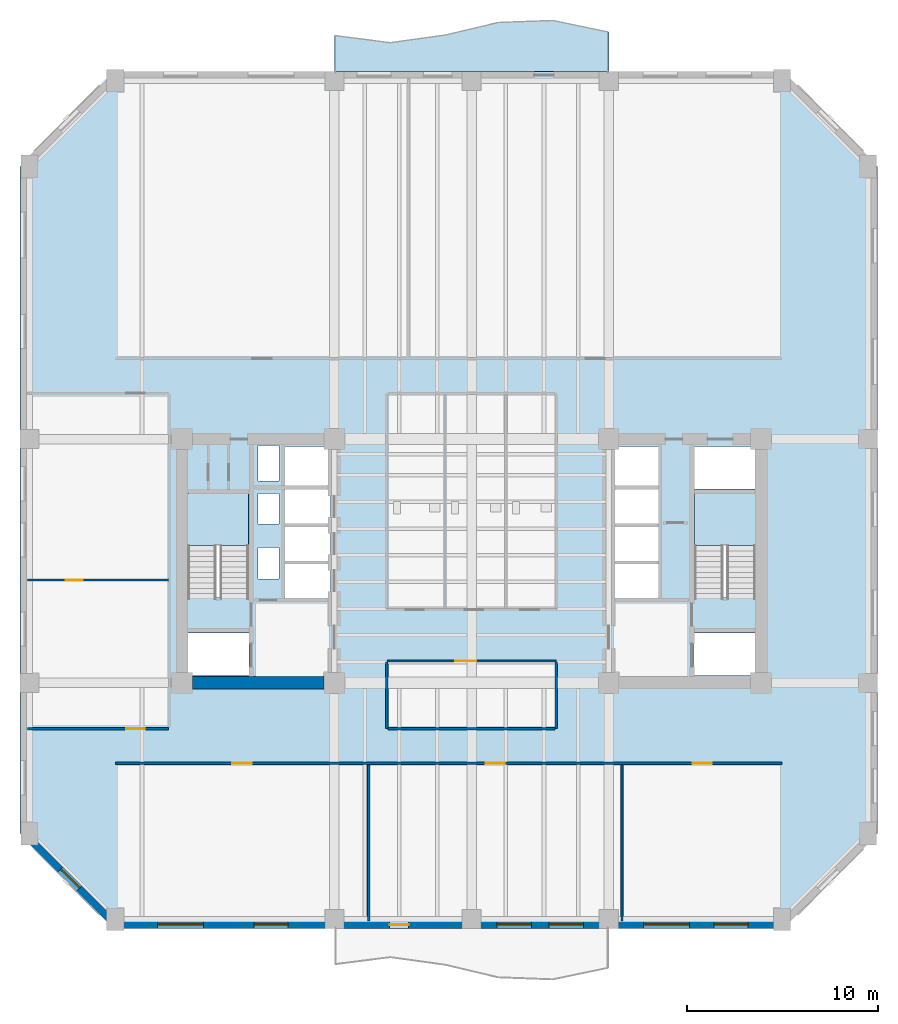
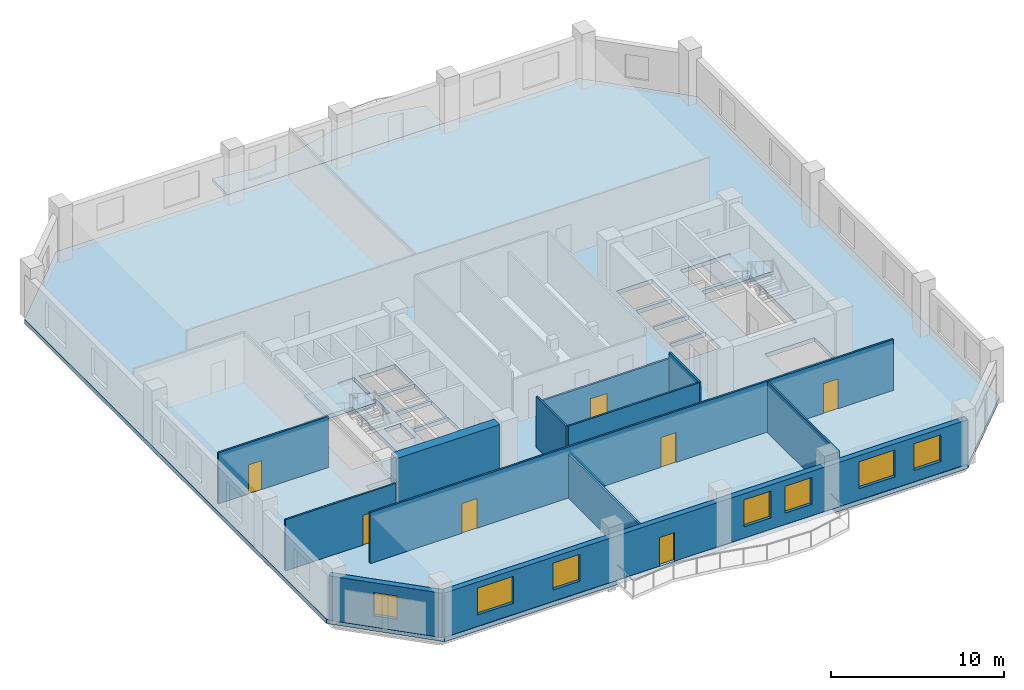
# One storey, part 2 of 10: 12 walls, 7 doors, 7 windows, 4 slabs, 14 openings, 2 elements without a shape of their own.
"""IFC4 building model written with IfcOpenShell, lengths in metres."""

from ifc_helpers import new_model, si_unit, direction, frame, frame_2d, origin, place, context, subcontext, project, spatial, polyline, rectangle, outline, extrude, material, layer, layer_set, type_object, element, fill, aggregate, save


model = new_model("IFC4")

# Units and contexts
model_context = context("Model", 3, precision=1e-05, world=origin(), true_north=direction((0.0, 1.0)))
body_context = subcontext(model_context, "Body", "Model", "MODEL_VIEW")
ifc_project = project(units=[si_unit("LENGTHUNIT", "METRE"), si_unit("AREAUNIT", "SQUARE_METRE"), si_unit("VOLUMEUNIT", "CUBIC_METRE"), si_unit("PLANEANGLEUNIT", "RADIAN"), si_unit("MASSUNIT", "GRAM", prefix="KILO")], contexts=[model_context])

# Site, building, storey
site_placement = place(None, origin())
site = spatial("IfcSite", under=ifc_project, at=site_placement, CompositionType="ELEMENT")
building_placement = place(site_placement, origin())
building = spatial("IfcBuilding", under=site, at=building_placement, Name="Kranthara Brick Stack", CompositionType="ELEMENT")
storey_placement = place(building_placement, frame((0.0, 0.0, 102.300048828125)))
storey = spatial("IfcBuildingStorey", under=building, at=storey_placement, Name="L25", CompositionType="ELEMENT", Elevation=102.300048828125)

# Slab
ifc_material_1 = material(Name="Concrete C45/55", Category="concrete")
ifc_layer_1 = layer(ifc_material_1, 0.219970703125)
ifc_layer_set_1 = layer_set([ifc_layer_1], Name="Concrete C45/55")
slab_type_1 = type_object("IfcSlabType", Name="SLB-BALC-220", PredefinedType="FLOOR", material=ifc_layer_set_1)
slab_1_placement = place(storey_placement, frame((0.0, 0.0, -0.219970703125)))
element("IfcSlab", 1, at=slab_1_placement, inside=storey, type_object=slab_type_1, Name="L25 North Rippling Balcony Slab", PredefinedType="FLOOR", context=body_context, shape_type="SweptSolid", body=[
    extrude(outline(polyline([(35.199951171875, 52.89990234375), (20.800048828125, 52.89990234375), (20.800048828125, 54.770751953125), (23.679931640625, 54.400390625), (26.56005859375, 54.815673828125), (29.43994140625, 55.494140625), (32.320068359375, 55.582763671875), (35.199951171875, 54.969970703125), (35.199951171875, 52.89990234375)])), origin(), (0.0, 0.0, 1.0), 0.219970703125),
])

# Stair, slab
ifc_material_2 = material(Name="Concrete C45/55", Category="concrete")
stair_type = type_object("IfcStairType", Name="ST-CORE-22R", PredefinedType="HALF_TURN_STAIR", material=ifc_material_2)
stair_1_placement = place(storey_placement, origin())
stair_1 = element("IfcStair", 2, at=stair_1_placement, inside=storey, type_object=stair_type, Name="L25 West Core Protected Exit Stair ST01", PredefinedType="HALF_TURN_STAIR")
ifc_material_3 = material(Name="Concrete C45/55", Category="concrete")
ifc_layer_2 = layer(ifc_material_3, 0.199951171875)
ifc_layer_set_2 = layer_set([ifc_layer_2], Name="Concrete C45/55")
slab_type_2 = type_object("IfcSlabType", Name="SLB-LANDING-200", PredefinedType="LANDING", material=ifc_layer_set_2)
slab_2_placement = place(storey_placement, frame((0.0, 0.0, 1.75)))
slab_2 = element("IfcSlab", 3, at=slab_2_placement, type_object=slab_type_2, Name="ST01 landing 1", PredefinedType="LANDING", context=body_context, shape_type="SweptSolid", body=[
    extrude(outline(polyline([(16.300048828125, 28.0), (16.300048828125, 30.75), (13.10009765625, 30.75), (13.10009765625, 28.0), (16.300048828125, 28.0)])), origin(), (0.0, 0.0, 1.0), 0.199951171875),
])
aggregate(stair_1, [slab_2])

stair_2_placement = place(storey_placement, origin())
stair_2 = element("IfcStair", 4, at=stair_2_placement, inside=storey, type_object=stair_type, Name="L25 East Core Protected Exit Stair ST02", PredefinedType="HALF_TURN_STAIR")
slab_3_placement = place(storey_placement, frame((0.0, 0.0, 1.75)))
slab_3 = element("IfcSlab", 5, at=slab_3_placement, type_object=slab_type_2, Name="ST02 landing 1", PredefinedType="LANDING", context=body_context, shape_type="SweptSolid", body=[
    extrude(outline(polyline([(42.89990234375, 28.0), (42.89990234375, 30.75), (39.699951171875, 30.75), (39.699951171875, 28.0), (42.89990234375, 28.0)])), origin(), (0.0, 0.0, 1.0), 0.199951171875),
])
aggregate(stair_2, [slab_3])

# Slab
ifc_material_4 = material(Name="Post-tensioned concrete C45/55", Category="concrete")
ifc_layer_3 = layer(ifc_material_4, 0.300048828125)
ifc_layer_set_3 = layer_set([ifc_layer_3], Name="Post-tensioned concrete C45/55")
slab_type_3 = type_object("IfcSlabType", Name="SLB-TWR-300", PredefinedType="FLOOR", material=ifc_layer_set_3)
slab_4_placement = place(storey_placement, frame((0.0, 0.0, -0.300048828125)))
element("IfcSlab", 6, at=slab_4_placement, inside=storey, type_object=slab_type_3, Name="L25 Structural Floor Plate", PredefinedType="FLOOR", context=body_context, shape_type="SweptSolid", body=[
    extrude(outline(polyline([(9.300048828125, 7.89990234375), (44.300048828125, 7.89990234375), (49.300048828125, 12.89990234375), (49.300048828125, 47.89990234375), (44.300048828125, 52.89990234375), (9.300048828125, 52.89990234375), (4.300048828125, 47.89990234375), (4.300048828125, 12.89990234375), (9.300048828125, 7.89990234375)]), holes=[polyline([(13.10009765625, 25.280029296875), (16.300048828125, 25.280029296875), (16.300048828125, 30.75), (13.10009765625, 30.75), (13.10009765625, 25.280029296875)]), polyline([(39.699951171875, 25.280029296875), (42.89990234375, 25.280029296875), (42.89990234375, 30.75), (39.699951171875, 30.75), (39.699951171875, 25.280029296875)]), polyline([(13.0, 21.179931640625), (16.320068359375, 21.179931640625), (16.320068359375, 23.419921875), (13.0, 23.419921875), (13.0, 21.179931640625)]), polyline([(39.679931640625, 21.179931640625), (43.0, 21.179931640625), (43.0, 23.419921875), (39.679931640625, 23.419921875), (39.679931640625, 21.179931640625)]), polyline([(39.679931640625, 30.97998046875), (43.0, 30.97998046875), (43.0, 33.219970703125), (39.679931640625, 33.219970703125), (39.679931640625, 30.97998046875)]), polyline([(18.199951171875, 25.25), (20.60009765625, 25.25), (20.60009765625, 27.050048828125), (18.199951171875, 27.050048828125), (18.199951171875, 25.25)]), polyline([(18.199951171875, 27.199951171875), (20.60009765625, 27.199951171875), (20.60009765625, 29.0), (18.199951171875, 29.0), (18.199951171875, 27.199951171875)]), polyline([(18.199951171875, 29.14990234375), (20.60009765625, 29.14990234375), (20.60009765625, 30.949951171875), (18.199951171875, 30.949951171875), (18.199951171875, 29.14990234375)]), polyline([(35.39990234375, 25.25), (37.800048828125, 25.25), (37.800048828125, 27.050048828125), (35.39990234375, 27.050048828125), (35.39990234375, 25.25)]), polyline([(35.39990234375, 27.199951171875), (37.800048828125, 27.199951171875), (37.800048828125, 29.0), (35.39990234375, 29.0), (35.39990234375, 27.199951171875)]), polyline([(35.39990234375, 29.14990234375), (37.800048828125, 29.14990234375), (37.800048828125, 30.949951171875), (35.39990234375, 30.949951171875), (35.39990234375, 29.14990234375)]), polyline([(18.199951171875, 31.14990234375), (20.60009765625, 31.14990234375), (20.60009765625, 33.219970703125), (18.199951171875, 33.219970703125), (18.199951171875, 31.14990234375)]), polyline([(35.39990234375, 31.14990234375), (37.800048828125, 31.14990234375), (37.800048828125, 33.219970703125), (35.39990234375, 33.219970703125), (35.39990234375, 31.14990234375)]), polyline([(16.800048828125, 26.25), (17.89990234375, 26.25), (17.89990234375, 27.89990234375), (16.800048828125, 27.89990234375), (16.800048828125, 26.25)]), polyline([(16.800048828125, 29.14990234375), (17.89990234375, 29.14990234375), (17.89990234375, 30.75), (16.800048828125, 30.75), (16.800048828125, 29.14990234375)]), polyline([(16.800048828125, 31.39990234375), (17.89990234375, 31.39990234375), (17.89990234375, 33.25), (16.800048828125, 33.25), (16.800048828125, 31.39990234375)])]), origin(), (0.0, 0.0, 1.0), 0.300048828125),
])

# Wall, openings, door, windows
ifc_material_5 = material(Name="Kiln-fired clay brick masonry M15", Category="masonry")
ifc_layer_4 = layer(ifc_material_5, 0.3798828125)
ifc_layer_set_4 = layer_set([ifc_layer_4], Name="Kiln-fired clay brick masonry M15")
wall_type_1 = type_object("IfcWallType", Name="WL-BRK-PIER-380", PredefinedType="STANDARD", material=ifc_layer_set_4)
wall_1_placement = place(storey_placement, frame((44.300048828125, 8.110107421875, 0.0), z_axis=(0.0, 0.0, 1.0), x_axis=(-1.0, 0.0, 0.0)))
wall_1 = element("IfcWall", 7, at=wall_1_placement, inside=storey, type_object=wall_type_1, Name="L25 Exterior Brick Facade Wall SOUTH 1", PredefinedType="STANDARD", context=body_context, shape_type="SweptSolid", body=[
    extrude(rectangle(XDim=35.0, YDim=0.3798828125, at=frame_2d((17.5, 0.0))), origin(), (0.0, 0.0, 1.0), 3.135009765625),
])
opening_1_placement = place(wall_1_placement, frame((19.60009765625, 0.0, 0.0)))
opening_1 = element("IfcOpeningElement", 8, at=opening_1_placement, cuts=wall_1, Name="Opening D03", PredefinedType="OPENING", context=body_context, shape_type="SweptSolid", body=[
    extrude(rectangle(XDim=1.0, YDim=2.02001953125, at=frame_2d((0.5, 1.010009765625))), frame((0.0, 0.199951171875, 0.0), z_axis=(0.0, -1.0, 0.0), x_axis=(1.0, 0.0, 0.0)), (0.0, 0.0, 1.0), 0.39990234375),
])
opening_2_placement = place(wall_1_placement, frame((1.782958984375, 0.0, 0.800048828125)))
opening_2 = element("IfcOpeningElement", 9, at=opening_2_placement, cuts=wall_1, Name="Opening WN01", PredefinedType="OPENING", context=body_context, shape_type="SweptSolid", body=[
    extrude(rectangle(XDim=1.800048828125, YDim=1.89990234375, at=frame_2d((0.89990234375, 0.949951171875))), frame((0.0, 0.199951171875, 0.0), z_axis=(0.0, -1.0, 0.0), x_axis=(1.0, 0.0, 0.0)), (0.0, 0.0, 1.0), 0.39990234375),
])
opening_3_placement = place(wall_1_placement, frame((4.866943359375, 0.0, 0.800048828125)))
opening_3 = element("IfcOpeningElement", 10, at=opening_3_placement, cuts=wall_1, Name="Opening WN02", PredefinedType="OPENING", context=body_context, shape_type="SweptSolid", body=[
    extrude(rectangle(XDim=2.39990234375, YDim=1.89990234375, at=frame_2d((1.199951171875, 0.949951171875))), frame((0.0, 0.199951171875, 0.0), z_axis=(0.0, -1.0, 0.0), x_axis=(1.0, 0.0, 0.0)), (0.0, 0.0, 1.0), 0.39990234375),
])
opening_4_placement = place(wall_1_placement, frame((10.431884765625, 0.0, 0.800048828125)))
opening_4 = element("IfcOpeningElement", 11, at=opening_4_placement, cuts=wall_1, Name="Opening WN01", PredefinedType="OPENING", context=body_context, shape_type="SweptSolid", body=[
    extrude(rectangle(XDim=1.800048828125, YDim=1.89990234375, at=frame_2d((0.89990234375, 0.949951171875))), frame((0.0, 0.199951171875, 0.0), z_axis=(0.0, -1.0, 0.0), x_axis=(1.0, 0.0, 0.0)), (0.0, 0.0, 1.0), 0.39990234375),
])
opening_5_placement = place(wall_1_placement, frame((13.16796875, 0.0, 0.800048828125)))
opening_5 = element("IfcOpeningElement", 12, at=opening_5_placement, cuts=wall_1, Name="Opening WN01", PredefinedType="OPENING", context=body_context, shape_type="SweptSolid", body=[
    extrude(rectangle(XDim=1.800048828125, YDim=1.89990234375, at=frame_2d((0.89990234375, 0.949951171875))), frame((0.0, 0.199951171875, 0.0), z_axis=(0.0, -1.0, 0.0), x_axis=(1.0, 0.0, 0.0)), (0.0, 0.0, 1.0), 0.39990234375),
])
opening_6_placement = place(wall_1_placement, frame((25.924072265625, 0.0, 0.800048828125)))
opening_6 = element("IfcOpeningElement", 13, at=opening_6_placement, cuts=wall_1, Name="Opening WN01", PredefinedType="OPENING", context=body_context, shape_type="SweptSolid", body=[
    extrude(rectangle(XDim=1.800048828125, YDim=1.89990234375, at=frame_2d((0.89990234375, 0.949951171875))), frame((0.0, 0.199951171875, 0.0), z_axis=(0.0, -1.0, 0.0), x_axis=(1.0, 0.0, 0.0)), (0.0, 0.0, 1.0), 0.39990234375),
])
opening_7_placement = place(wall_1_placement, frame((30.3759765625, 0.0, 0.800048828125)))
opening_7 = element("IfcOpeningElement", 14, at=opening_7_placement, cuts=wall_1, Name="Opening WN02", PredefinedType="OPENING", context=body_context, shape_type="SweptSolid", body=[
    extrude(rectangle(XDim=2.39990234375, YDim=1.89990234375, at=frame_2d((1.199951171875, 0.949951171875))), frame((0.0, 0.199951171875, 0.0), z_axis=(0.0, -1.0, 0.0), x_axis=(1.0, 0.0, 0.0)), (0.0, 0.0, 1.0), 0.39990234375),
])
ifc_material_6 = material(Name="Bronze anodised aluminium and laminated glass", Category="aluminium")
door_type_1 = type_object("IfcDoorType", Name="DR-BALC-1000", OperationType="NOTDEFINED", PredefinedType="DOOR", material=ifc_material_6)
door_1_placement = place(opening_1_placement, origin())
door_1 = element("IfcDoor", 15, at=door_1_placement, inside=storey, type_object=door_type_1, Name="L25 South Balcony Terrace Door", OperationType="SINGLE_SWING_LEFT", OverallHeight=2.02001953125, OverallWidth=1.0, PredefinedType="DOOR", context=body_context, shape_type="SweptSolid", body=[
    extrude(rectangle(XDim=1.0, YDim=2.02001953125, at=frame_2d((0.5, 1.010009765625))), frame((0.0, 0.02490234375, 0.0), z_axis=(0.0, -1.0, 0.0), x_axis=(1.0, 0.0, 0.0)), (0.0, 0.0, 1.0), 0.050048828125),
])
fill(opening_1, door_1)
ifc_material_7 = material(Name="Double-glazed low-E solar control glass", Category="glass")
window_type_1 = type_object("IfcWindowType", Name="WN-OFF-1800x2000", PartitioningType="SINGLE_PANEL", PredefinedType="WINDOW", material=ifc_material_7)
window_1_placement = place(opening_2_placement, origin())
window_1 = element("IfcWindow", 16, at=window_1_placement, inside=storey, type_object=window_type_1, Name="L25 South Deep-Set Brick Window 01", OverallHeight=1.89990234375, OverallWidth=1.800048828125, PartitioningType="SINGLE_PANEL", PredefinedType="WINDOW", context=body_context, shape_type="SweptSolid", body=[
    extrude(rectangle(XDim=1.800048828125, YDim=1.89990234375, at=frame_2d((0.89990234375, 0.949951171875))), frame((0.0, -0.010009765625, 0.0), z_axis=(0.0, -1.0, 0.0), x_axis=(1.0, 0.0, 0.0)), (0.0, 0.0, 1.0), 0.06005859375),
])
fill(opening_2, window_1)
window_2_placement = place(opening_4_placement, origin())
window_2 = element("IfcWindow", 17, at=window_2_placement, inside=storey, type_object=window_type_1, Name="L25 South Deep-Set Brick Window 03", OverallHeight=1.89990234375, OverallWidth=1.800048828125, PartitioningType="SINGLE_PANEL", PredefinedType="WINDOW", context=body_context, shape_type="SweptSolid", body=[
    extrude(rectangle(XDim=1.800048828125, YDim=1.89990234375, at=frame_2d((0.89990234375, 0.949951171875))), frame((0.0, -0.010009765625, 0.0), z_axis=(0.0, -1.0, 0.0), x_axis=(1.0, 0.0, 0.0)), (0.0, 0.0, 1.0), 0.06005859375),
])
fill(opening_4, window_2)
window_3_placement = place(opening_5_placement, origin())
window_3 = element("IfcWindow", 18, at=window_3_placement, inside=storey, type_object=window_type_1, Name="L25 South Deep-Set Brick Window 04", OverallHeight=1.89990234375, OverallWidth=1.800048828125, PartitioningType="SINGLE_PANEL", PredefinedType="WINDOW", context=body_context, shape_type="SweptSolid", body=[
    extrude(rectangle(XDim=1.800048828125, YDim=1.89990234375, at=frame_2d((0.89990234375, 0.949951171875))), frame((0.0, -0.010009765625, 0.0), z_axis=(0.0, -1.0, 0.0), x_axis=(1.0, 0.0, 0.0)), (0.0, 0.0, 1.0), 0.06005859375),
])
fill(opening_5, window_3)
window_4_placement = place(opening_6_placement, origin())
window_4 = element("IfcWindow", 19, at=window_4_placement, inside=storey, type_object=window_type_1, Name="L25 South Deep-Set Brick Window 05", OverallHeight=1.89990234375, OverallWidth=1.800048828125, PartitioningType="SINGLE_PANEL", PredefinedType="WINDOW", context=body_context, shape_type="SweptSolid", body=[
    extrude(rectangle(XDim=1.800048828125, YDim=1.89990234375, at=frame_2d((0.89990234375, 0.949951171875))), frame((0.0, -0.010009765625, 0.0), z_axis=(0.0, -1.0, 0.0), x_axis=(1.0, 0.0, 0.0)), (0.0, 0.0, 1.0), 0.06005859375),
])
fill(opening_6, window_4)
ifc_material_8 = material(Name="Double-glazed low-E solar control glass", Category="glass")
window_type_2 = type_object("IfcWindowType", Name="WN-OFF-2400x2000", PartitioningType="DOUBLE_PANEL_VERTICAL", PredefinedType="WINDOW", material=ifc_material_8)
window_5_placement = place(opening_3_placement, origin())
window_5 = element("IfcWindow", 20, at=window_5_placement, inside=storey, type_object=window_type_2, Name="L25 South Deep-Set Brick Window 02", OverallHeight=1.89990234375, OverallWidth=2.39990234375, PartitioningType="SINGLE_PANEL", PredefinedType="WINDOW", context=body_context, shape_type="SweptSolid", body=[
    extrude(rectangle(XDim=2.39990234375, YDim=1.89990234375, at=frame_2d((1.199951171875, 0.949951171875))), frame((0.0, -0.010009765625, 0.0), z_axis=(0.0, -1.0, 0.0), x_axis=(1.0, 0.0, 0.0)), (0.0, 0.0, 1.0), 0.06005859375),
])
fill(opening_3, window_5)
window_6_placement = place(opening_7_placement, origin())
window_6 = element("IfcWindow", 21, at=window_6_placement, inside=storey, type_object=window_type_2, Name="L25 South Deep-Set Brick Window 06", OverallHeight=1.89990234375, OverallWidth=2.39990234375, PartitioningType="SINGLE_PANEL", PredefinedType="WINDOW", context=body_context, shape_type="SweptSolid", body=[
    extrude(rectangle(XDim=2.39990234375, YDim=1.89990234375, at=frame_2d((1.199951171875, 0.949951171875))), frame((0.0, -0.010009765625, 0.0), z_axis=(0.0, -1.0, 0.0), x_axis=(1.0, 0.0, 0.0)), (0.0, 0.0, 1.0), 0.06005859375),
])
fill(opening_7, window_6)

# Wall, opening, window
wall_2_placement = place(storey_placement, frame((9.300048828125, 8.110107421875, 0.0), z_axis=(0.0, 0.0, 1.0), x_axis=(-0.707124801467, 0.707088760447, 0.0)))
wall_2 = element("IfcWall", 22, at=wall_2_placement, inside=storey, type_object=wall_type_1, Name="L25 Exterior Brick Facade Wall SW 1", PredefinedType="STANDARD", context=body_context, shape_type="SweptSolid", body=[
    extrude(rectangle(XDim=6.77392578125, YDim=0.3798828125, at=frame_2d((3.386962890625, 0.0))), origin(), (0.0, 0.0, 1.0), 3.135009765625),
])
opening_8_placement = place(wall_2_placement, frame((2.68701171875, 0.0, 0.800048828125)))
opening_8 = element("IfcOpeningElement", 23, at=opening_8_placement, cuts=wall_2, Name="Opening WN10", PredefinedType="OPENING", context=body_context, shape_type="SweptSolid", body=[
    extrude(rectangle(XDim=1.39990234375, YDim=1.64990234375, at=frame_2d((0.699951171875, 0.824951171875))), frame((0.0, 0.199951171875, 0.0), z_axis=(0.0, -1.0, 0.0), x_axis=(1.0, 0.0, 0.0)), (0.0, 0.0, 1.0), 0.39990234375),
])
ifc_material_9 = material(Name="Double-glazed low-E solar control glass", Category="glass")
window_type_3 = type_object("IfcWindowType", Name="WN-CHM-1400x1750", PartitioningType="SINGLE_PANEL", PredefinedType="WINDOW", material=ifc_material_9)
window_7_placement = place(opening_8_placement, origin())
window_7 = element("IfcWindow", 24, at=window_7_placement, inside=storey, type_object=window_type_3, Name="L25 SW Chamfer Corner Window", OverallHeight=1.64990234375, OverallWidth=1.39990234375, PartitioningType="SINGLE_PANEL", PredefinedType="WINDOW", context=body_context, shape_type="SweptSolid", body=[
    extrude(rectangle(XDim=1.39990234375, YDim=1.64990234375, at=frame_2d((0.699951171875, 0.824951171875))), frame((0.0, -0.010009765625, 0.0), z_axis=(0.0, -1.0, 0.0), x_axis=(1.0, 0.0, 0.0)), (0.0, 0.0, 1.0), 0.06005859375),
])
fill(opening_8, window_7)

# Wall
ifc_material_10 = material(Name="Concrete C60/75", Category="concrete")
ifc_layer_5 = layer(ifc_material_10, 0.64990234375)
ifc_layer_set_5 = layer_set([ifc_layer_5], Name="Concrete C60/75")
wall_type_2 = type_object("IfcWallType", Name="WL-CORE-650", PredefinedType="SHEAR", material=ifc_layer_set_5)
wall_3_placement = place(storey_placement, frame((13.35498046875, 20.800048828125, 0.0), z_axis=(0.0, 0.0, 1.0), x_axis=(1.0, 0.0, 0.0)))
element("IfcWall", 25, at=wall_3_placement, inside=storey, type_object=wall_type_2, Name="L25 West Core Shear Wall South", PredefinedType="SHEAR", context=body_context, shape_type="SweptSolid", body=[
    extrude(rectangle(XDim=6.89013671875, YDim=0.64990234375, at=frame_2d((3.445068359375, 0.0))), origin(), (0.0, 0.0, 1.0), 3.599853515625),
])

# Wall, opening, door
ifc_material_11 = material(Name="Acoustic gypsum plasterboard partition", Category="other")
ifc_layer_6 = layer(ifc_material_11, 0.1201171875)
ifc_layer_set_6 = layer_set([ifc_layer_6], Name="Acoustic gypsum plasterboard partition")
wall_type_3 = type_object("IfcWallType", Name="WL-PART-120", PredefinedType="PARTITIONING", material=ifc_layer_set_6)
wall_4_placement = place(storey_placement, frame((23.550048828125, 21.949951171875, 0.0), z_axis=(0.0, 0.0, 1.0), x_axis=(1.0, 0.0, 0.0)))
wall_4 = element("IfcWall", 26, at=wall_4_placement, inside=storey, type_object=wall_type_3, Name="L25 Interior Partition 010", PredefinedType="PARTITIONING", context=body_context, shape_type="SweptSolid", body=[
    extrude(rectangle(XDim=8.89990234375, YDim=0.1201171875, at=frame_2d((4.449951171875, 0.0))), origin(), (0.0, 0.0, 1.0), 3.135009765625),
])
opening_9_placement = place(wall_4_placement, frame((3.60009765625, 0.0, 0.0)))
opening_9 = element("IfcOpeningElement", 27, at=opening_9_placement, cuts=wall_4, Name="Opening D11", PredefinedType="OPENING", context=body_context, shape_type="SweptSolid", body=[
    extrude(rectangle(XDim=1.10009765625, YDim=2.14990234375, at=frame_2d((0.550048828125, 1.074951171875))), frame((0.0, 0.070068359375, 0.0), z_axis=(0.0, -1.0, 0.0), x_axis=(1.0, 0.0, 0.0)), (0.0, 0.0, 1.0), 0.14013671875),
])
ifc_material_12 = material(Name="Solid-core hardwood timber leaf in steel frame", Category="steel")
door_type_2 = type_object("IfcDoorType", Name="DR-INT-1100", OperationType="NOTDEFINED", PredefinedType="DOOR", material=ifc_material_12)
door_2_placement = place(opening_9_placement, origin())
door_2 = element("IfcDoor", 28, at=door_2_placement, inside=storey, type_object=door_type_2, Name="L25 Internal Briefing Room 07", OperationType="SINGLE_SWING_LEFT", OverallHeight=2.14990234375, OverallWidth=1.10009765625, PredefinedType="DOOR", context=body_context, shape_type="SweptSolid", body=[
    extrude(rectangle(XDim=1.10009765625, YDim=2.14990234375, at=frame_2d((0.550048828125, 1.074951171875))), frame((0.0, 0.02490234375, 0.0), z_axis=(0.0, -1.0, 0.0), x_axis=(1.0, 0.0, 0.0)), (0.0, 0.0, 1.0), 0.050048828125),
])
fill(opening_9, door_2)

# Walls
for number, where, z_axis, x_axis, name in (
    (29, (23.550048828125, 18.39990234375, 0.0), (0.0, 0.0, 1.0), (0.0, 1.0, 0.0), "L25 Interior Partition 011"),
    (30, (32.449951171875, 18.39990234375, 0.0), (0.0, 0.0, 1.0), (0.0, 1.0, 0.0), "L25 Interior Partition 012"),
):
    element("IfcWall", number, at=place(storey_placement, frame(where, z_axis=z_axis, x_axis=x_axis)), inside=storey, type_object=wall_type_3, Name=name, PredefinedType="PARTITIONING", context=body_context, shape_type="SweptSolid", body=[
        extrude(rectangle(XDim=3.485107421875, YDim=0.1201171875, at=frame_2d((1.74267578125, 0.0))), origin(), (0.0, 0.0, 1.0), 3.599853515625),
    ])
wall_5_placement = place(storey_placement, frame((23.614990234375, 18.39990234375, 0.0), z_axis=(0.0, 0.0, 1.0), x_axis=(1.0, 0.0, 0.0)))
element("IfcWall", 31, at=wall_5_placement, inside=storey, type_object=wall_type_3, Name="L25 Interior Partition 013", PredefinedType="PARTITIONING", context=body_context, shape_type="SweptSolid", body=[
    extrude(rectangle(XDim=8.77001953125, YDim=0.1201171875, at=frame_2d((4.385009765625, 0.0))), origin(), (0.0, 0.0, 1.0), 3.599853515625),
])

# Wall, openings, doors
wall_6_placement = place(storey_placement, frame((9.300048828125, 16.580078125, 0.0), z_axis=(0.0, 0.0, 1.0), x_axis=(1.0, 0.0, 0.0)))
wall_6 = element("IfcWall", 32, at=wall_6_placement, inside=storey, type_object=wall_type_3, Name="L25 Interior Partition 014", PredefinedType="PARTITIONING", context=body_context, shape_type="SweptSolid", body=[
    extrude(rectangle(XDim=35.0, YDim=0.1201171875, at=frame_2d((17.5, 0.0))), origin(), (0.0, 0.0, 1.0), 3.599853515625),
])
opening_10_placement = place(wall_6_placement, frame((6.14990234375, 0.0, 0.0)))
opening_10 = element("IfcOpeningElement", 33, at=opening_10_placement, cuts=wall_6, Name="Opening D13", PredefinedType="OPENING", context=body_context, shape_type="SweptSolid", body=[
    extrude(rectangle(XDim=1.0, YDim=2.10009765625, at=frame_2d((0.5, 1.050048828125))), frame((0.0, 0.070068359375, 0.0), z_axis=(0.0, -1.0, 0.0), x_axis=(1.0, 0.0, 0.0)), (0.0, 0.0, 1.0), 0.14013671875),
])
opening_11_placement = place(wall_6_placement, frame((19.449951171875, 0.0, 0.0)))
opening_11 = element("IfcOpeningElement", 34, at=opening_11_placement, cuts=wall_6, Name="Opening D13", PredefinedType="OPENING", context=body_context, shape_type="SweptSolid", body=[
    extrude(rectangle(XDim=1.0, YDim=2.10009765625, at=frame_2d((0.5, 1.050048828125))), frame((0.0, 0.070068359375, 0.0), z_axis=(0.0, -1.0, 0.0), x_axis=(1.0, 0.0, 0.0)), (0.0, 0.0, 1.0), 0.14013671875),
])
opening_12_placement = place(wall_6_placement, frame((30.300048828125, 0.0, 0.0)))
opening_12 = element("IfcOpeningElement", 35, at=opening_12_placement, cuts=wall_6, Name="Opening D13", PredefinedType="OPENING", context=body_context, shape_type="SweptSolid", body=[
    extrude(rectangle(XDim=1.0, YDim=2.10009765625, at=frame_2d((0.5, 1.050048828125))), frame((0.0, 0.070068359375, 0.0), z_axis=(0.0, -1.0, 0.0), x_axis=(1.0, 0.0, 0.0)), (0.0, 0.0, 1.0), 0.14013671875),
])
ifc_material_13 = material(Name="Solid-core hardwood timber leaf in steel frame", Category="steel")
door_type_3 = type_object("IfcDoorType", Name="DR-INT-1000", OperationType="NOTDEFINED", PredefinedType="DOOR", material=ifc_material_13)
door_3_placement = place(opening_10_placement, origin())
door_3 = element("IfcDoor", 36, at=door_3_placement, inside=storey, type_object=door_type_3, Name="L25 Open Plan Workspace 08", OperationType="SINGLE_SWING_RIGHT", OverallHeight=2.10009765625, OverallWidth=1.0, PredefinedType="DOOR", context=body_context, shape_type="SweptSolid", body=[
    extrude(rectangle(XDim=1.0, YDim=2.10009765625, at=frame_2d((0.5, 1.050048828125))), frame((0.0, 0.02490234375, 0.0), z_axis=(0.0, -1.0, 0.0), x_axis=(1.0, 0.0, 0.0)), (0.0, 0.0, 1.0), 0.050048828125),
])
fill(opening_10, door_3)
door_4_placement = place(opening_11_placement, origin())
door_4 = element("IfcDoor", 37, at=door_4_placement, inside=storey, type_object=door_type_3, Name="L25 Collaboration Lounge 09", OperationType="SINGLE_SWING_LEFT", OverallHeight=2.10009765625, OverallWidth=1.0, PredefinedType="DOOR", context=body_context, shape_type="SweptSolid", body=[
    extrude(rectangle(XDim=1.0, YDim=2.10009765625, at=frame_2d((0.5, 1.050048828125))), frame((0.0, 0.02490234375, 0.0), z_axis=(0.0, -1.0, 0.0), x_axis=(1.0, 0.0, 0.0)), (0.0, 0.0, 1.0), 0.050048828125),
])
fill(opening_11, door_4)
door_5_placement = place(opening_12_placement, origin())
door_5 = element("IfcDoor", 38, at=door_5_placement, inside=storey, type_object=door_type_3, Name="L25 Boardroom 10", OperationType="SINGLE_SWING_RIGHT", OverallHeight=2.10009765625, OverallWidth=1.0, PredefinedType="DOOR", context=body_context, shape_type="SweptSolid", body=[
    extrude(rectangle(XDim=1.0, YDim=2.10009765625, at=frame_2d((0.5, 1.050048828125))), frame((0.0, 0.02490234375, 0.0), z_axis=(0.0, -1.0, 0.0), x_axis=(1.0, 0.0, 0.0)), (0.0, 0.0, 1.0), 0.050048828125),
])
fill(opening_12, door_5)

# Walls
wall_7_placement = place(storey_placement, frame((22.60009765625, 8.304931640625, 0.0), z_axis=(0.0, 0.0, 1.0), x_axis=(0.0, 1.0, 0.0)))
element("IfcWall", 39, at=wall_7_placement, inside=storey, type_object=wall_type_3, Name="L25 Interior Partition 015", PredefinedType="PARTITIONING", context=body_context, shape_type="SweptSolid", body=[
    extrude(rectangle(XDim=8.175048828125, YDim=0.1201171875, at=frame_2d((4.08740234375, 0.0))), origin(), (0.0, 0.0, 1.0), 3.135009765625),
])
wall_8_placement = place(storey_placement, frame((35.89990234375, 8.304931640625, 0.0), z_axis=(0.0, 0.0, 1.0), x_axis=(0.0, 1.0, 0.0)))
element("IfcWall", 40, at=wall_8_placement, inside=storey, type_object=wall_type_3, Name="L25 Interior Partition 016", PredefinedType="PARTITIONING", context=body_context, shape_type="SweptSolid", body=[
    extrude(rectangle(XDim=8.175048828125, YDim=0.1201171875, at=frame_2d((4.08740234375, 0.0))), origin(), (0.0, 0.0, 1.0), 3.599853515625),
])

# Wall, opening, door
wall_9_placement = place(storey_placement, frame((4.705078125, 18.39990234375, 0.0), z_axis=(0.0, 0.0, 1.0), x_axis=(1.0, 0.0, 0.0)))
wall_9 = element("IfcWall", 41, at=wall_9_placement, inside=storey, type_object=wall_type_3, Name="L25 Interior Partition 020", PredefinedType="PARTITIONING", context=body_context, shape_type="SweptSolid", body=[
    extrude(rectangle(XDim=7.3798828125, YDim=0.1201171875, at=frame_2d((3.68994140625, 0.0))), origin(), (0.0, 0.0, 1.0), 3.599853515625),
])
opening_13_placement = place(wall_9_placement, frame((5.179931640625, 0.0, 0.0)))
opening_13 = element("IfcOpeningElement", 42, at=opening_13_placement, cuts=wall_9, Name="Opening D14", PredefinedType="OPENING", context=body_context, shape_type="SweptSolid", body=[
    extrude(rectangle(XDim=0.949951171875, YDim=2.10009765625, at=frame_2d((0.47509765625, 1.050048828125))), frame((0.0, 0.070068359375, 0.0), z_axis=(0.0, -1.0, 0.0), x_axis=(1.0, 0.0, 0.0)), (0.0, 0.0, 1.0), 0.14013671875),
])
ifc_material_14 = material(Name="Solid-core hardwood timber leaf in steel frame", Category="steel")
door_type_4 = type_object("IfcDoorType", Name="DR-INT-950", OperationType="NOTDEFINED", PredefinedType="DOOR", material=ifc_material_14)
door_6_placement = place(opening_13_placement, origin())
door_6 = element("IfcDoor", 43, at=door_6_placement, inside=storey, type_object=door_type_4, Name="L25 West South Office 14", OperationType="SINGLE_SWING_RIGHT", OverallHeight=2.10009765625, OverallWidth=0.949951171875, PredefinedType="DOOR", context=body_context, shape_type="SweptSolid", body=[
    extrude(rectangle(XDim=0.949951171875, YDim=2.10009765625, at=frame_2d((0.47509765625, 1.050048828125))), frame((0.0, 0.02490234375, 0.0), z_axis=(0.0, -1.0, 0.0), x_axis=(1.0, 0.0, 0.0)), (0.0, 0.0, 1.0), 0.050048828125),
])
fill(opening_13, door_6)

wall_10_placement = place(storey_placement, frame((4.705078125, 26.199951171875, 0.0), z_axis=(0.0, 0.0, 1.0), x_axis=(1.0, 0.0, 0.0)))
wall_10 = element("IfcWall", 44, at=wall_10_placement, inside=storey, type_object=wall_type_3, Name="L25 Interior Partition 022", PredefinedType="PARTITIONING", context=body_context, shape_type="SweptSolid", body=[
    extrude(rectangle(XDim=7.3798828125, YDim=0.1201171875, at=frame_2d((3.68994140625, 0.0))), origin(), (0.0, 0.0, 1.0), 3.599853515625),
])
opening_14_placement = place(wall_10_placement, frame((2.0, 0.0, 0.0)))
opening_14 = element("IfcOpeningElement", 45, at=opening_14_placement, cuts=wall_10, Name="Opening D15", PredefinedType="OPENING", context=body_context, shape_type="SweptSolid", body=[
    extrude(rectangle(XDim=0.89990234375, YDim=2.050048828125, at=frame_2d((0.449951171875, 1.02490234375))), frame((0.0, 0.070068359375, 0.0), z_axis=(0.0, -1.0, 0.0), x_axis=(1.0, 0.0, 0.0)), (0.0, 0.0, 1.0), 0.14013671875),
])
ifc_material_15 = material(Name="Solid-core hardwood timber leaf in steel frame", Category="steel")
door_type_5 = type_object("IfcDoorType", Name="DR-INT-900", OperationType="NOTDEFINED", PredefinedType="DOOR", material=ifc_material_15)
door_7_placement = place(opening_14_placement, origin())
door_7 = element("IfcDoor", 46, at=door_7_placement, inside=storey, type_object=door_type_5, Name="L25 West Inner Suite Door 13", OperationType="SINGLE_SWING_LEFT", OverallHeight=2.050048828125, OverallWidth=0.89990234375, PredefinedType="DOOR", context=body_context, shape_type="SweptSolid", body=[
    extrude(rectangle(XDim=0.89990234375, YDim=2.050048828125, at=frame_2d((0.449951171875, 1.02490234375))), frame((0.0, 0.02490234375, 0.0), z_axis=(0.0, -1.0, 0.0), x_axis=(1.0, 0.0, 0.0)), (0.0, 0.0, 1.0), 0.050048828125),
])
fill(opening_14, door_7)

save(model, "model.ifc")
